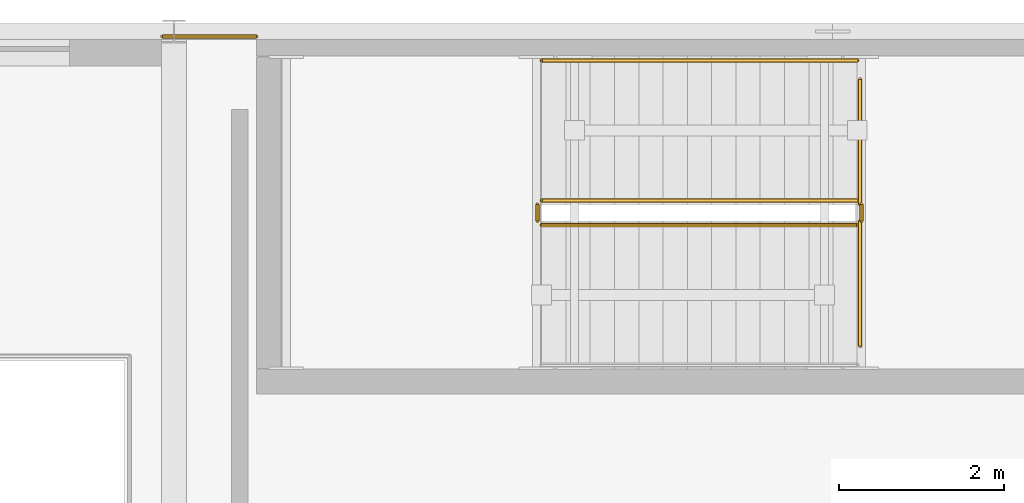
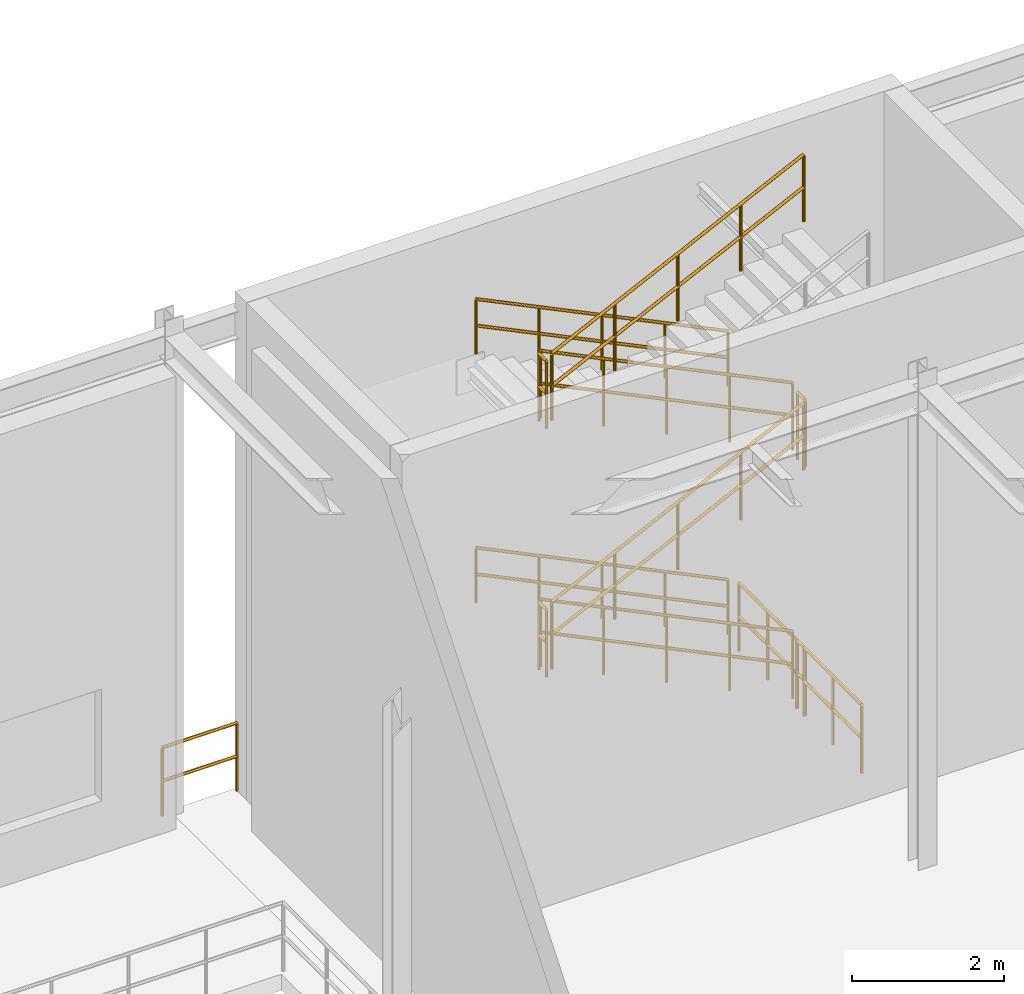
# One storey, part 138 of 138: 13 railings.
"""IFC4 building model written with IfcOpenShell, lengths in metres."""

from ifc_helpers import new_model, si_unit, direction, frame, origin, origin_2d, place, context, subcontext, project, spatial, circle, extrude, material, type_object, element, save


model = new_model("IFC4")

# Units and contexts
model_context = context("Model", 3, precision=1e-05, world=origin(), true_north=direction((0.0, 1.0)))
body_context = subcontext(model_context, "Body", "Model", "MODEL_VIEW")
ifc_project = project(units=[si_unit("LENGTHUNIT", "METRE"), si_unit("AREAUNIT", "SQUARE_METRE"), si_unit("VOLUMEUNIT", "CUBIC_METRE"), si_unit("PLANEANGLEUNIT", "RADIAN"), si_unit("MASSUNIT", "GRAM", prefix="KILO")], contexts=[model_context])

# Site, building, storey
site_placement = place(None, origin())
site = spatial("IfcSite", under=ifc_project, at=site_placement, CompositionType="ELEMENT")
building_placement = place(site_placement, origin())
building = spatial("IfcBuilding", under=site, at=building_placement, Name="Sundkrona Museum", CompositionType="ELEMENT")
storey_placement = place(building_placement, frame((0.0, 0.0, 9.60009765625)))
storey = spatial("IfcBuildingStorey", under=building, at=storey_placement, Name="L02", CompositionType="ELEMENT", Elevation=9.60009765625)

# Railings
ifc_material_1 = material(Name="Painted Steel S355J2 and Laminated Glass Balustrade", Category="steel")
railing_type_1 = type_object("IfcRailingType", Name="RL-GUARD-1100", PredefinedType="BALUSTRADE", material=ifc_material_1)
railing_1_placement = place(storey_placement, frame((144.300048828125, 111.949951171875, 0.142822265625)))
element("IfcRailing", 1, at=railing_1_placement, inside=storey, type_object=railing_type_1, Name="L02 ST-5 stair guard 1", PredefinedType="BALUSTRADE", context=body_context, shape_type="SweptSolid", body=[
    extrude(circle(Radius=0.02392578125, at=origin_2d()), frame((0.0, 0.0, 1.076171875), z_axis=(-0.900016444443, 0.0, 0.435855939195), x_axis=(0.0, -1.0, 0.0)), (0.0, 0.0, 1.0), 4.260986328125),
    extrude(circle(Radius=0.02392578125, at=origin_2d()), frame((0.0, 0.0, 0.550048828125), z_axis=(-0.900016444443, 0.0, 0.435855939195), x_axis=(0.0, -1.0, 0.0)), (0.0, 0.0, 1.0), 4.260986328125),
    extrude(circle(Radius=0.02099609375, at=origin_2d()), origin(), (0.0, 0.0, 1.0), 1.052001953125),
    extrude(circle(Radius=0.02099609375, at=origin_2d()), frame((-0.958740234375, 0.0, 0.46435546875)), (0.0, 0.0, 1.0), 1.052001953125),
    extrude(circle(Radius=0.02099609375, at=origin_2d()), frame((-1.91748046875, 0.0, 0.9287109375)), (0.0, 0.0, 1.0), 1.052001953125),
    extrude(circle(Radius=0.02099609375, at=origin_2d()), frame((-2.876220703125, 0.0, 1.392822265625)), (0.0, 0.0, 1.0), 1.052001953125),
    extrude(circle(Radius=0.02099609375, at=origin_2d()), frame((-3.8349609375, 0.0, 1.857177734375)), (0.0, 0.0, 1.0), 1.052001953125),
])
railing_2_placement = place(storey_placement, frame((140.4150390625, 111.89990234375, 2.0)))
element("IfcRailing", 2, at=railing_2_placement, inside=storey, type_object=railing_type_1, Name="L02 ST-5 stair guard 2", PredefinedType="BALUSTRADE", context=body_context, shape_type="SweptSolid", body=[
    extrude(circle(Radius=0.02392578125, at=origin_2d()), frame((0.0, 0.0, 1.076171875), z_axis=(0.0, -1.0, 0.0), x_axis=(1.0, 0.0, 0.0)), (0.0, 0.0, 1.0), 0.199951171875),
    extrude(circle(Radius=0.02392578125, at=origin_2d()), frame((0.0, 0.0, 0.550048828125), z_axis=(0.0, -1.0, 0.0), x_axis=(1.0, 0.0, 0.0)), (0.0, 0.0, 1.0), 0.199951171875),
    extrude(circle(Radius=0.02099609375, at=origin_2d()), origin(), (0.0, 0.0, 1.0), 1.052001953125),
    extrude(circle(Radius=0.02099609375, at=origin_2d()), frame((0.0, -0.199951171875, 0.0)), (0.0, 0.0, 1.0), 1.052001953125),
])
railing_3_placement = place(storey_placement, frame((140.465087890625, 111.64990234375, 2.142822265625)))
element("IfcRailing", 3, at=railing_3_placement, inside=storey, type_object=railing_type_1, Name="L02 ST-5 stair guard 3", PredefinedType="BALUSTRADE", context=body_context, shape_type="SweptSolid", body=[
    extrude(circle(Radius=0.02392578125, at=origin_2d()), frame((0.0, 0.0, 1.076171875), z_axis=(0.900016444443, 0.0, 0.435855939195), x_axis=(0.0, 1.0, 0.0)), (0.0, 0.0, 1.0), 4.260986328125),
    extrude(circle(Radius=0.02392578125, at=origin_2d()), frame((0.0, 0.0, 0.550048828125), z_axis=(0.900016444443, 0.0, 0.435855939195), x_axis=(0.0, 1.0, 0.0)), (0.0, 0.0, 1.0), 4.260986328125),
    extrude(circle(Radius=0.02099609375, at=origin_2d()), origin(), (0.0, 0.0, 1.0), 1.052001953125),
    extrude(circle(Radius=0.02099609375, at=origin_2d()), frame((0.958740234375, 0.0, 0.46435546875)), (0.0, 0.0, 1.0), 1.052001953125),
    extrude(circle(Radius=0.02099609375, at=origin_2d()), frame((1.91748046875, 0.0, 0.9287109375)), (0.0, 0.0, 1.0), 1.052001953125),
    extrude(circle(Radius=0.02099609375, at=origin_2d()), frame((2.876220703125, 0.0, 1.392822265625)), (0.0, 0.0, 1.0), 1.052001953125),
    extrude(circle(Radius=0.02099609375, at=origin_2d()), frame((3.8349609375, 0.0, 1.857177734375)), (0.0, 0.0, 1.0), 1.052001953125),
])
railing_4_placement = place(storey_placement, frame((144.35009765625, 111.89990234375, 4.0)))
element("IfcRailing", 4, at=railing_4_placement, inside=storey, type_object=railing_type_1, Name="L02 ST-5 stair guard 4", PredefinedType="BALUSTRADE", context=body_context, shape_type="SweptSolid", body=[
    extrude(circle(Radius=0.02392578125, at=origin_2d()), frame((0.0, 0.0, 1.076171875), z_axis=(0.0, -1.0, 0.0), x_axis=(1.0, 0.0, 0.0)), (0.0, 0.0, 1.0), 0.199951171875),
    extrude(circle(Radius=0.02392578125, at=origin_2d()), frame((0.0, 0.0, 0.550048828125), z_axis=(0.0, -1.0, 0.0), x_axis=(1.0, 0.0, 0.0)), (0.0, 0.0, 1.0), 0.199951171875),
    extrude(circle(Radius=0.02099609375, at=origin_2d()), origin(), (0.0, 0.0, 1.0), 1.052001953125),
    extrude(circle(Radius=0.02099609375, at=origin_2d()), frame((0.0, -0.199951171875, 0.0)), (0.0, 0.0, 1.0), 1.052001953125),
])
railing_5_placement = place(storey_placement, frame((144.300048828125, 111.949951171875, 4.142822265625)))
element("IfcRailing", 5, at=railing_5_placement, inside=storey, type_object=railing_type_1, Name="L02 ST-5 stair guard 5", PredefinedType="BALUSTRADE", context=body_context, shape_type="SweptSolid", body=[
    extrude(circle(Radius=0.02392578125, at=origin_2d()), frame((0.0, 0.0, 1.076171875), z_axis=(-0.900016444443, 0.0, 0.435855939195), x_axis=(0.0, -1.0, 0.0)), (0.0, 0.0, 1.0), 4.260986328125),
    extrude(circle(Radius=0.02392578125, at=origin_2d()), frame((0.0, 0.0, 0.550048828125), z_axis=(-0.900016444443, 0.0, 0.435855939195), x_axis=(0.0, -1.0, 0.0)), (0.0, 0.0, 1.0), 4.260986328125),
    extrude(circle(Radius=0.02099609375, at=origin_2d()), origin(), (0.0, 0.0, 1.0), 1.052001953125),
    extrude(circle(Radius=0.02099609375, at=origin_2d()), frame((-0.958740234375, 0.0, 0.46435546875)), (0.0, 0.0, 1.0), 1.052001953125),
    extrude(circle(Radius=0.02099609375, at=origin_2d()), frame((-1.91748046875, 0.0, 0.9287109375)), (0.0, 0.0, 1.0), 1.052001953125),
    extrude(circle(Radius=0.02099609375, at=origin_2d()), frame((-2.876220703125, 0.0, 1.392822265625)), (0.0, 0.0, 1.0), 1.052001953125),
    extrude(circle(Radius=0.02099609375, at=origin_2d()), frame((-3.8349609375, 0.0, 1.857177734375)), (0.0, 0.0, 1.0), 1.052001953125),
])
railing_6_placement = place(storey_placement, frame((140.4150390625, 111.89990234375, 6.0)))
element("IfcRailing", 6, at=railing_6_placement, inside=storey, type_object=railing_type_1, Name="L02 ST-5 stair guard 6", PredefinedType="BALUSTRADE", context=body_context, shape_type="SweptSolid", body=[
    extrude(circle(Radius=0.02392578125, at=origin_2d()), frame((0.0, 0.0, 1.076171875), z_axis=(0.0, -1.0, 0.0), x_axis=(1.0, 0.0, 0.0)), (0.0, 0.0, 1.0), 0.199951171875),
    extrude(circle(Radius=0.02392578125, at=origin_2d()), frame((0.0, 0.0, 0.550048828125), z_axis=(0.0, -1.0, 0.0), x_axis=(1.0, 0.0, 0.0)), (0.0, 0.0, 1.0), 0.199951171875),
    extrude(circle(Radius=0.02099609375, at=origin_2d()), origin(), (0.0, 0.0, 1.0), 1.052001953125),
    extrude(circle(Radius=0.02099609375, at=origin_2d()), frame((0.0, -0.199951171875, 0.0)), (0.0, 0.0, 1.0), 1.052001953125),
])
railing_7_placement = place(storey_placement, frame((140.465087890625, 111.64990234375, 6.142822265625)))
element("IfcRailing", 7, at=railing_7_placement, inside=storey, type_object=railing_type_1, Name="L02 ST-5 stair guard 7", PredefinedType="BALUSTRADE", context=body_context, shape_type="SweptSolid", body=[
    extrude(circle(Radius=0.02392578125, at=origin_2d()), frame((0.0, 0.0, 1.076171875), z_axis=(0.900016444443, 0.0, 0.435855939195), x_axis=(0.0, 1.0, 0.0)), (0.0, 0.0, 1.0), 4.260986328125),
    extrude(circle(Radius=0.02392578125, at=origin_2d()), frame((0.0, 0.0, 0.550048828125), z_axis=(0.900016444443, 0.0, 0.435855939195), x_axis=(0.0, 1.0, 0.0)), (0.0, 0.0, 1.0), 4.260986328125),
    extrude(circle(Radius=0.02099609375, at=origin_2d()), origin(), (0.0, 0.0, 1.0), 1.052001953125),
    extrude(circle(Radius=0.02099609375, at=origin_2d()), frame((0.958740234375, 0.0, 0.46435546875)), (0.0, 0.0, 1.0), 1.052001953125),
    extrude(circle(Radius=0.02099609375, at=origin_2d()), frame((1.91748046875, 0.0, 0.9287109375)), (0.0, 0.0, 1.0), 1.052001953125),
    extrude(circle(Radius=0.02099609375, at=origin_2d()), frame((2.876220703125, 0.0, 1.392822265625)), (0.0, 0.0, 1.0), 1.052001953125),
    extrude(circle(Radius=0.02099609375, at=origin_2d()), frame((3.8349609375, 0.0, 1.857177734375)), (0.0, 0.0, 1.0), 1.052001953125),
])
railing_8_placement = place(storey_placement, frame((144.35009765625, 111.89990234375, 0.0)))
element("IfcRailing", 8, at=railing_8_placement, inside=storey, type_object=railing_type_1, Name="L02 ST-5 stair guard 8", PredefinedType="BALUSTRADE", context=body_context, shape_type="SweptSolid", body=[
    extrude(circle(Radius=0.02392578125, at=origin_2d()), frame((0.0, 0.0, 1.076171875), z_axis=(0.0, -1.0, 0.0), x_axis=(1.0, 0.0, 0.0)), (0.0, 0.0, 1.0), 0.199951171875),
    extrude(circle(Radius=0.02392578125, at=origin_2d()), frame((0.0, 0.0, 0.550048828125), z_axis=(0.0, -1.0, 0.0), x_axis=(1.0, 0.0, 0.0)), (0.0, 0.0, 1.0), 0.199951171875),
    extrude(circle(Radius=0.02099609375, at=origin_2d()), origin(), (0.0, 0.0, 1.0), 1.052001953125),
    extrude(circle(Radius=0.02099609375, at=origin_2d()), frame((0.0, -0.199951171875, 0.0)), (0.0, 0.0, 1.0), 1.052001953125),
])
railing_9_placement = place(storey_placement, frame((135.85791015625, 113.93994140625, 0.0)))
element("IfcRailing", 9, at=railing_9_placement, inside=storey, type_object=railing_type_1, Name="L02 Edge Protection Balustrade 047", PredefinedType="BALUSTRADE", context=body_context, shape_type="SweptSolid", body=[
    extrude(circle(Radius=0.02392578125, at=origin_2d()), frame((0.0, 0.0, 1.09619140625), z_axis=(1.0, 0.0, 0.0), x_axis=(0.0, 1.0, 0.0)), (0.0, 0.0, 1.0), 1.14208984375),
    extrude(circle(Radius=0.02392578125, at=origin_2d()), frame((0.0, 0.0, 0.56005859375), z_axis=(1.0, 0.0, 0.0), x_axis=(0.0, 1.0, 0.0)), (0.0, 0.0, 1.0), 1.14208984375),
    extrude(circle(Radius=0.02099609375, at=origin_2d()), origin(), (0.0, 0.0, 1.0), 1.072021484375),
    extrude(circle(Radius=0.02099609375, at=origin_2d()), frame((1.14208984375, 0.0, 0.0)), (0.0, 0.0, 1.0), 1.072021484375),
])
for number, where, name in (
    (10, (144.3349609375, 110.179931640625, 0.0), "L02 Edge Protection Balustrade 051"),
    (11, (144.3349609375, 111.89990234375, 0.0), "L02 Edge Protection Balustrade 052"),
):
    element("IfcRailing", number, at=place(storey_placement, frame(where)), inside=storey, type_object=railing_type_1, Name=name, PredefinedType="BALUSTRADE", context=body_context, shape_type="SweptSolid", body=[
        extrude(circle(Radius=0.02392578125, at=origin_2d()), frame((0.0, 0.0, 1.09619140625), z_axis=(0.0, 1.0, 0.0), x_axis=(-1.0, 0.0, 0.0)), (0.0, 0.0, 1.0), 1.52001953125),
        extrude(circle(Radius=0.02392578125, at=origin_2d()), frame((0.0, 0.0, 0.56005859375), z_axis=(0.0, 1.0, 0.0), x_axis=(-1.0, 0.0, 0.0)), (0.0, 0.0, 1.0), 1.52001953125),
        extrude(circle(Radius=0.02099609375, at=origin_2d()), origin(), (0.0, 0.0, 1.0), 1.072021484375),
        extrude(circle(Radius=0.02099609375, at=origin_2d()), frame((0.0, 0.760009765625, 0.0)), (0.0, 0.0, 1.0), 1.072021484375),
        extrude(circle(Radius=0.02099609375, at=origin_2d()), frame((0.0, 1.52001953125, 0.0)), (0.0, 0.0, 1.0), 1.072021484375),
    ])
ifc_material_2 = material(Name="Brushed Bronze-Clad Steel Handrail", Category="steel")
railing_type_2 = type_object("IfcRailingType", Name="RL-HAND-900", PredefinedType="HANDRAIL", material=ifc_material_2)
for number, where, name in (
    (12, (144.300048828125, 113.64990234375, 0.142822265625), "L02 ST-5 stair handrail 1"),
    (13, (144.300048828125, 113.64990234375, 4.142822265625), "L02 ST-5 stair handrail 3"),
):
    element("IfcRailing", number, at=place(storey_placement, frame(where)), inside=storey, type_object=railing_type_2, Name=name, PredefinedType="HANDRAIL", context=body_context, shape_type="SweptSolid", body=[
        extrude(circle(Radius=0.02392578125, at=origin_2d()), frame((0.0, 0.0, 0.8759765625), z_axis=(-0.900016444443, 0.0, 0.435855939195), x_axis=(0.0, -1.0, 0.0)), (0.0, 0.0, 1.0), 4.260986328125),
        extrude(circle(Radius=0.02392578125, at=origin_2d()), frame((0.0, 0.0, 0.449951171875), z_axis=(-0.900016444443, 0.0, 0.435855939195), x_axis=(0.0, -1.0, 0.0)), (0.0, 0.0, 1.0), 4.260986328125),
        extrude(circle(Radius=0.02099609375, at=origin_2d()), origin(), (0.0, 0.0, 1.0), 0.851806640625),
        extrude(circle(Radius=0.02099609375, at=origin_2d()), frame((-0.958740234375, 0.0, 0.46435546875)), (0.0, 0.0, 1.0), 0.851806640625),
        extrude(circle(Radius=0.02099609375, at=origin_2d()), frame((-1.91748046875, 0.0, 0.9287109375)), (0.0, 0.0, 1.0), 0.851806640625),
        extrude(circle(Radius=0.02099609375, at=origin_2d()), frame((-2.876220703125, 0.0, 1.392822265625)), (0.0, 0.0, 1.0), 0.851806640625),
        extrude(circle(Radius=0.02099609375, at=origin_2d()), frame((-3.8349609375, 0.0, 1.857177734375)), (0.0, 0.0, 1.0), 0.851806640625),
    ])

save(model, "model.ifc")
